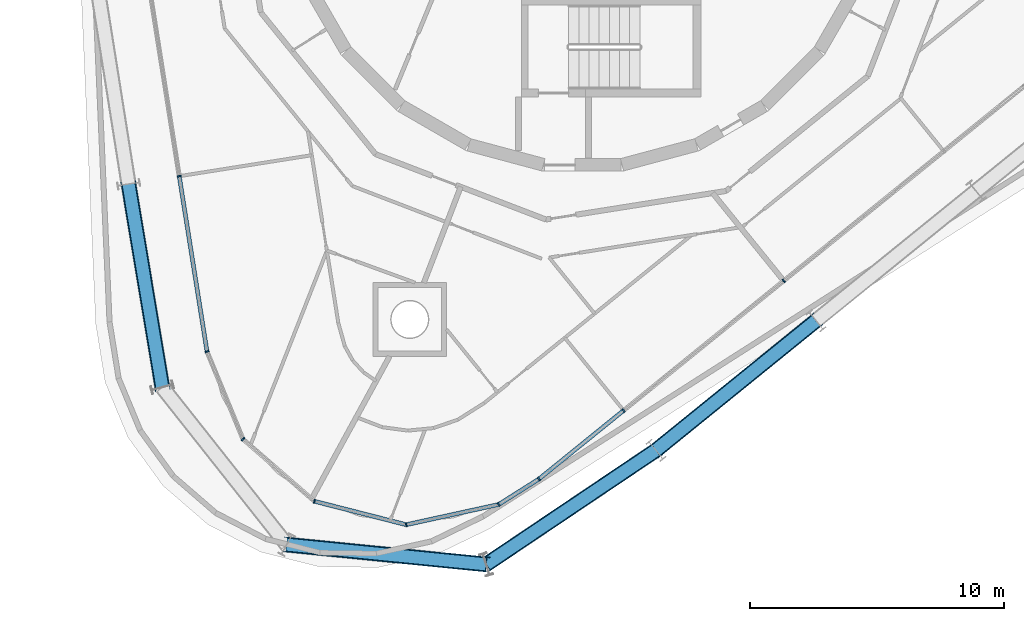
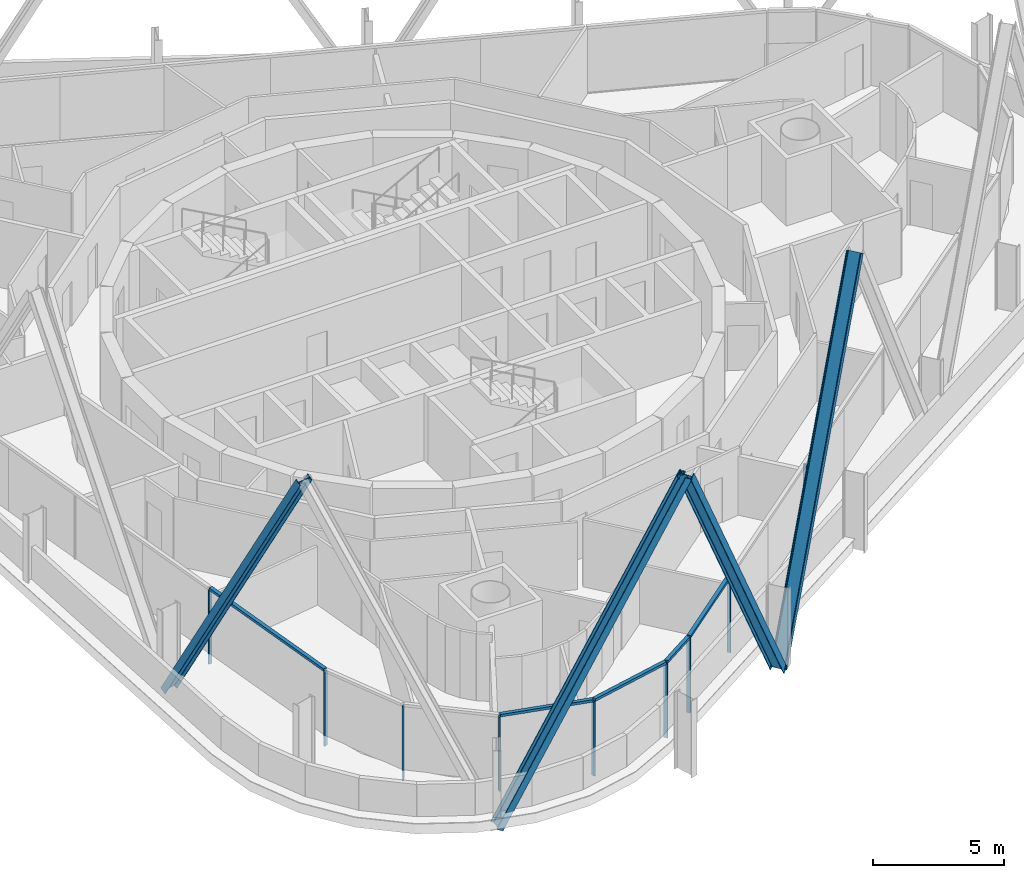
# One storey, part 2 of 19: 18 members, 2 elements without a shape of their own.
"""IFC4 building model written with IfcOpenShell, lengths in metres."""

from ifc_helpers import new_model, si_unit, direction, frame, origin, origin_2d, place, context, subcontext, project, spatial, rectangle, i_section, extrude, material, layer, layer_set, material_profile, profile_set, type_object, element, aggregate, save


model = new_model("IFC4")

# Units and contexts
model_context = context("Model", 3, precision=1e-05, world=origin(), true_north=direction((0.0, 1.0)))
body_context = subcontext(model_context, "Body", "Model", "MODEL_VIEW")
ifc_project = project(units=[si_unit("LENGTHUNIT", "METRE"), si_unit("AREAUNIT", "SQUARE_METRE"), si_unit("VOLUMEUNIT", "CUBIC_METRE"), si_unit("PLANEANGLEUNIT", "RADIAN"), si_unit("MASSUNIT", "GRAM", prefix="KILO")], contexts=[model_context])

# Site, building, storey
site_placement = place(None, origin())
site = spatial("IfcSite", under=ifc_project, at=site_placement, CompositionType="ELEMENT")
building_placement = place(site_placement, origin())
building = spatial("IfcBuilding", under=site, at=building_placement, Name="Spindle Arch Residences", CompositionType="ELEMENT")
storey_placement = place(building_placement, frame((0.0, 0.0, 263.39990234375)))
storey = spatial("IfcBuildingStorey", under=building, at=storey_placement, Name="L67", CompositionType="ELEMENT", Elevation=263.39990234375)

# Curtain wall, members
ifc_material_1 = material(Name="Aluminium bronze unitised frame with tinted glass", Category="aluminium")
ifc_layer_1 = layer(ifc_material_1, 0.159912109375)
ifc_layer_set_1 = layer_set([ifc_layer_1], Name="CW-D corner wall on the fillet arcs")
curtain_wall_type_1 = type_object("IfcCurtainWallType", Name="CW-D corner wall on the fillet arcs", PredefinedType="NOTDEFINED", material=ifc_layer_set_1)
curtain_wall_1_placement = place(storey_placement, origin())
curtain_wall_1 = element("IfcCurtainWall", 1, at=curtain_wall_1_placement, inside=storey, type_object=curtain_wall_type_1, Name="CW-D L67 run 5", PredefinedType="NOTDEFINED")
ifc_material_2 = material(Name="Aluminium bronze anodised mullion", Category="aluminium")
ifc_material_profile_1 = material_profile(ifc_material_2, rectangle(XDim=0.159912109375, YDim=0.06005859375, at=origin_2d()), Name="MU 60x160")
ifc_profile_set_1 = profile_set([ifc_material_profile_1], Name="Aluminium bronze anodised mullion")
member_type_1 = type_object("IfcMemberType", Name="Bronze mullion 60x160", PredefinedType="MULLION", material=ifc_profile_set_1)
member_1_placement = place(storey_placement, frame((-15.880615234375, -12.092041015625, -0.449951171875), z_axis=(0.0, 0.0, 1.0), x_axis=(0.987688340595, 0.15643446504, 0.0)))
member_1 = element("IfcMember", 2, at=member_1_placement, type_object=member_type_1, Name="CW-D mullion 00", PredefinedType="MULLION", context=body_context, shape_type="SweptSolid", body=[
    extrude(rectangle(XDim=0.159912109375, YDim=0.06005859375, at=origin_2d()), origin(), (0.0, 0.0, 1.0), 3.449951171875),
])
member_2_placement = place(storey_placement, frame((-14.787109375, -18.99560546875, -0.449951171875), z_axis=(0.0, 0.0, 1.0), x_axis=(0.92498880334, 0.379994360085, 0.0)))
member_2 = element("IfcMember", 3, at=member_2_placement, type_object=member_type_1, Name="CW-D mullion 01", PredefinedType="MULLION", context=body_context, shape_type="SweptSolid", body=[
    extrude(rectangle(XDim=0.159912109375, YDim=0.06005859375, at=origin_2d()), origin(), (0.0, 0.0, 1.0), 3.449951171875),
])
member_3_placement = place(storey_placement, frame((-13.370849609375, -22.44287109375, -0.449951171875), z_axis=(0.0, 0.0, 1.0), x_axis=(0.656059025711, 0.754709583074, 0.0)))
member_3 = element("IfcMember", 4, at=member_3_placement, type_object=member_type_1, Name="CW-D mullion 02", PredefinedType="MULLION", context=body_context, shape_type="SweptSolid", body=[
    extrude(rectangle(XDim=0.159912109375, YDim=0.06005859375, at=origin_2d()), origin(), (0.0, 0.0, 1.0), 3.449951171875),
])
member_4_placement = place(storey_placement, frame((-10.558349609375, -24.887939453125, -0.449951171875), z_axis=(0.0, 0.0, 1.0), x_axis=(0.247562720743, 0.968871869392, 0.0)))
member_4 = element("IfcMember", 5, at=member_4_placement, type_object=member_type_1, Name="CW-D mullion 03", PredefinedType="MULLION", context=body_context, shape_type="SweptSolid", body=[
    extrude(rectangle(XDim=0.159912109375, YDim=0.06005859375, at=origin_2d()), origin(), (0.0, 0.0, 1.0), 3.449951171875),
])
member_5_placement = place(storey_placement, frame((-6.947509765625, -25.810546875, -0.449951171875), z_axis=(0.0, 0.0, 1.0), x_axis=(-0.213598770213, 0.976921473489, 0.0)))
member_5 = element("IfcMember", 6, at=member_5_placement, type_object=member_type_1, Name="CW-D mullion 04", PredefinedType="MULLION", context=body_context, shape_type="SweptSolid", body=[
    extrude(rectangle(XDim=0.159912109375, YDim=0.06005859375, at=origin_2d()), origin(), (0.0, 0.0, 1.0), 3.449951171875),
])
member_6_placement = place(storey_placement, frame((-3.306884765625, -25.014404296875, -0.449951171875), z_axis=(0.0, 0.0, 1.0), x_axis=(-0.53484401224, 0.844950816658, 0.0)))
member_6 = element("IfcMember", 7, at=member_6_placement, type_object=member_type_1, Name="CW-D mullion 05", PredefinedType="MULLION", context=body_context, shape_type="SweptSolid", body=[
    extrude(rectangle(XDim=0.159912109375, YDim=0.06005859375, at=origin_2d()), origin(), (0.0, 0.0, 1.0), 3.449951171875),
])
member_7_placement = place(storey_placement, frame((-1.7216796875, -24.010986328125, -0.449951171875), z_axis=(0.0, 0.0, 1.0), x_axis=(-0.62932039105, 0.777145961457, 0.0)))
member_7 = element("IfcMember", 8, at=member_7_placement, type_object=member_type_1, Name="CW-D mullion 06", PredefinedType="MULLION", context=body_context, shape_type="SweptSolid", body=[
    extrude(rectangle(XDim=0.159912109375, YDim=0.06005859375, at=origin_2d()), origin(), (0.0, 0.0, 1.0), 3.449951171875),
])

ifc_material_3 = material(Name="Aluminium bronze unitised frame with tinted glass", Category="aluminium")
ifc_layer_2 = layer(ifc_material_3, 0.159912109375)
ifc_layer_set_2 = layer_set([ifc_layer_2], Name="CW-C typical residential unitised wall")
curtain_wall_type_2 = type_object("IfcCurtainWallType", Name="CW-C typical residential unitised wall", PredefinedType="NOTDEFINED", material=ifc_layer_set_2)
curtain_wall_2_placement = place(storey_placement, origin())
curtain_wall_2 = element("IfcCurtainWall", 9, at=curtain_wall_2_placement, inside=storey, type_object=curtain_wall_type_2, Name="CW-C L67 run 6", PredefinedType="NOTDEFINED")
member_8_placement = place(storey_placement, frame((1.610107421875, -21.31298828125, -0.449951171875), z_axis=(0.0, 0.0, 1.0), x_axis=(-0.62932039105, 0.777145961457, 0.0)))
member_8 = element("IfcMember", 10, at=member_8_placement, type_object=member_type_1, Name="CW-C mullion 18", PredefinedType="MULLION", context=body_context, shape_type="SweptSolid", body=[
    extrude(rectangle(XDim=0.159912109375, YDim=0.06005859375, at=origin_2d()), origin(), (0.0, 0.0, 1.0), 3.449951171875),
])
member_9_placement = place(storey_placement, frame((7.910888671875, -16.210693359375, -0.449951171875), z_axis=(0.0, 0.0, 1.0), x_axis=(-0.62932039105, 0.777145961457, 0.0)))
member_9 = element("IfcMember", 11, at=member_9_placement, type_object=member_type_1, Name="CW-C mullion 19", PredefinedType="MULLION", context=body_context, shape_type="SweptSolid", body=[
    extrude(rectangle(XDim=0.159912109375, YDim=0.06005859375, at=origin_2d()), origin(), (0.0, 0.0, 1.0), 3.449951171875),
])
aggregate(curtain_wall_2, [member_8, member_9])

# Member
ifc_material_4 = material(Name="Aluminium bronze anodised transom", Category="aluminium")
ifc_material_profile_2 = material_profile(ifc_material_4, rectangle(XDim=0.159912109375, YDim=0.1201171875, at=origin_2d()), Name="TR 120x160")
ifc_profile_set_2 = profile_set([ifc_material_profile_2], Name="Aluminium bronze anodised transom")
member_type_2 = type_object("IfcMemberType", Name="Bronze transom 120x160", PredefinedType="USERDEFINED", material=ifc_profile_set_2)
member_10_placement = place(storey_placement, frame((-15.875732421875, -12.12158203125, 3.06005859375), z_axis=(0.156423886955, -0.987690015941, 0.0), x_axis=(0.987690015941, 0.156423886955, 0.0)))
member_10 = element("IfcMember", 12, at=member_10_placement, type_object=member_type_2, Name="CW-D transom 00", ObjectType="TRANSOM", PredefinedType="USERDEFINED", context=body_context, shape_type="SweptSolid", body=[
    extrude(rectangle(XDim=0.159912109375, YDim=0.1201171875, at=origin_2d()), origin(), (0.0, 0.0, 1.0), 6.9296875),
])

member_11_placement = place(storey_placement, frame((-10.529296875, -24.895263671875, 3.06005859375), z_axis=(0.968876271824, -0.247545490561, 0.0), x_axis=(0.247545490561, 0.968876271824, 0.0)))
member_11 = element("IfcMember", 13, at=member_11_placement, type_object=member_type_2, Name="CW-D transom 03", ObjectType="TRANSOM", PredefinedType="USERDEFINED", context=body_context, shape_type="SweptSolid", body=[
    extrude(rectangle(XDim=0.159912109375, YDim=0.1201171875, at=origin_2d()), origin(), (0.0, 0.0, 1.0), 3.666748046875),
])

member_12_placement = place(storey_placement, frame((-6.918212890625, -25.803955078125, 3.06005859375), z_axis=(0.976920862917, 0.213601562721, 0.0), x_axis=(-0.213601562721, 0.976920862917, 0.0)))
member_12 = element("IfcMember", 14, at=member_12_placement, type_object=member_type_2, Name="CW-D transom 04", ObjectType="TRANSOM", PredefinedType="USERDEFINED", context=body_context, shape_type="SweptSolid", body=[
    extrude(rectangle(XDim=0.159912109375, YDim=0.1201171875, at=origin_2d()), origin(), (0.0, 0.0, 1.0), 3.666748046875),
])

member_13_placement = place(storey_placement, frame((-3.281494140625, -24.998291015625, 3.06005859375), z_axis=(0.844970968959, 0.534812174148, 0.0), x_axis=(-0.534812174148, 0.844970968959, 0.0)))
member_13 = element("IfcMember", 15, at=member_13_placement, type_object=member_type_2, Name="CW-D transom 05", ObjectType="TRANSOM", PredefinedType="USERDEFINED", context=body_context, shape_type="SweptSolid", body=[
    extrude(rectangle(XDim=0.159912109375, YDim=0.1201171875, at=origin_2d()), origin(), (0.0, 0.0, 1.0), 1.81591796875),
])

member_14_placement = place(storey_placement, frame((-1.6982421875, -23.9921875, 3.06005859375), z_axis=(0.777130537676, 0.629339437356, 0.0), x_axis=(-0.629339437356, 0.777130537676, 0.0)))
member_14 = element("IfcMember", 16, at=member_14_placement, type_object=member_type_2, Name="CW-D transom 06", ObjectType="TRANSOM", PredefinedType="USERDEFINED", context=body_context, shape_type="SweptSolid", body=[
    extrude(rectangle(XDim=0.159912109375, YDim=0.1201171875, at=origin_2d()), origin(), (0.0, 0.0, 1.0), 4.227294921875),
])

aggregate(curtain_wall_1, [member_1, member_10, member_2, member_3, member_4, member_11, member_5, member_12, member_6, member_13, member_7, member_14])

# Members
ifc_material_5 = material(Name="Steel S460ML, intumescent coating R 240", Category="steel")
ifc_material_profile_3 = material_profile(ifc_material_5, i_section(OverallWidth=0.300048828125, OverallDepth=0.60009765625, WebThickness=0.015380859375, FlangeThickness=0.030029296875, FilletRadius=0.027099609375, at=origin_2d()), Name="HEB 600")
ifc_profile_set_3 = profile_set([ifc_material_profile_3], Name="Steel S460ML, intumescent coating R 240")
member_type_3 = type_object("IfcMemberType", Name="Diagrid diagonal HEB 600", PredefinedType="BRACE", material=ifc_profile_set_3)
member_15_placement = place(storey_placement, frame((-17.87548828125, -12.407958984375, -0.699951171875), z_axis=(0.081837259319, -0.492421840889, 0.866500659897), x_axis=(-0.142058210995, 0.854776496104, 0.499175927302)))
element("IfcMember", 17, at=member_15_placement, inside=storey, type_object=member_type_3, Name="Diagrid diagonal 7.1.15", PredefinedType="BRACE", context=body_context, shape_type="SweptSolid", body=[
    extrude(i_section(OverallWidth=0.300048828125, OverallDepth=0.60009765625, WebThickness=0.015380859375, FlangeThickness=0.030029296875, FilletRadius=0.027099609375, at=origin_2d()), origin(), (0.0, 0.0, 1.0), 16.23779296875),
])
member_16_placement = place(storey_placement, frame((-11.651611328125, -26.59375, -0.699951171875), z_axis=(0.486806751714, -0.048322005727, 0.872172098985), x_axis=(-0.867906756312, 0.086151219352, 0.489199171864)))
element("IfcMember", 18, at=member_16_placement, inside=storey, type_object=member_type_3, Name="Diagrid diagonal 7.1.17", PredefinedType="BRACE", context=body_context, shape_type="SweptSolid", body=[
    extrude(i_section(OverallWidth=0.300048828125, OverallDepth=0.60009765625, WebThickness=0.015380859375, FlangeThickness=0.030029296875, FilletRadius=0.027099609375, at=origin_2d()), origin(), (0.0, 0.0, 1.0), 16.13232421875),
])
member_17_placement = place(storey_placement, frame((2.88134765625, -22.8828125, -0.699951171875), z_axis=(-0.412083514247, -0.27702675722, 0.86801114801), x_axis=(0.720364306771, 0.484271224212, 0.496544707886)))
element("IfcMember", 19, at=member_17_placement, inside=storey, type_object=member_type_3, Name="Diagrid diagonal 7.1.18", PredefinedType="BRACE", context=body_context, shape_type="SweptSolid", body=[
    extrude(i_section(OverallWidth=0.300048828125, OverallDepth=0.60009765625, WebThickness=0.015380859375, FlangeThickness=0.030029296875, FilletRadius=0.027099609375, at=origin_2d()), origin(), (0.0, 0.0, 1.0), 16.20947265625),
])
member_18_placement = place(storey_placement, frame((2.88134765625, -22.8828125, -0.699951171875), z_axis=(0.388006740338, 0.314203071386, 0.866445150823), x_axis=(-0.673353154504, -0.545273077185, 0.499272271027)))
element("IfcMember", 20, at=member_18_placement, inside=storey, type_object=member_type_3, Name="Diagrid diagonal 7.1.19", PredefinedType="BRACE", context=body_context, shape_type="SweptSolid", body=[
    extrude(i_section(OverallWidth=0.300048828125, OverallDepth=0.60009765625, WebThickness=0.015380859375, FlangeThickness=0.030029296875, FilletRadius=0.027099609375, at=origin_2d()), origin(), (0.0, 0.0, 1.0), 16.23876953125),
])

save(model, "model.ifc")
